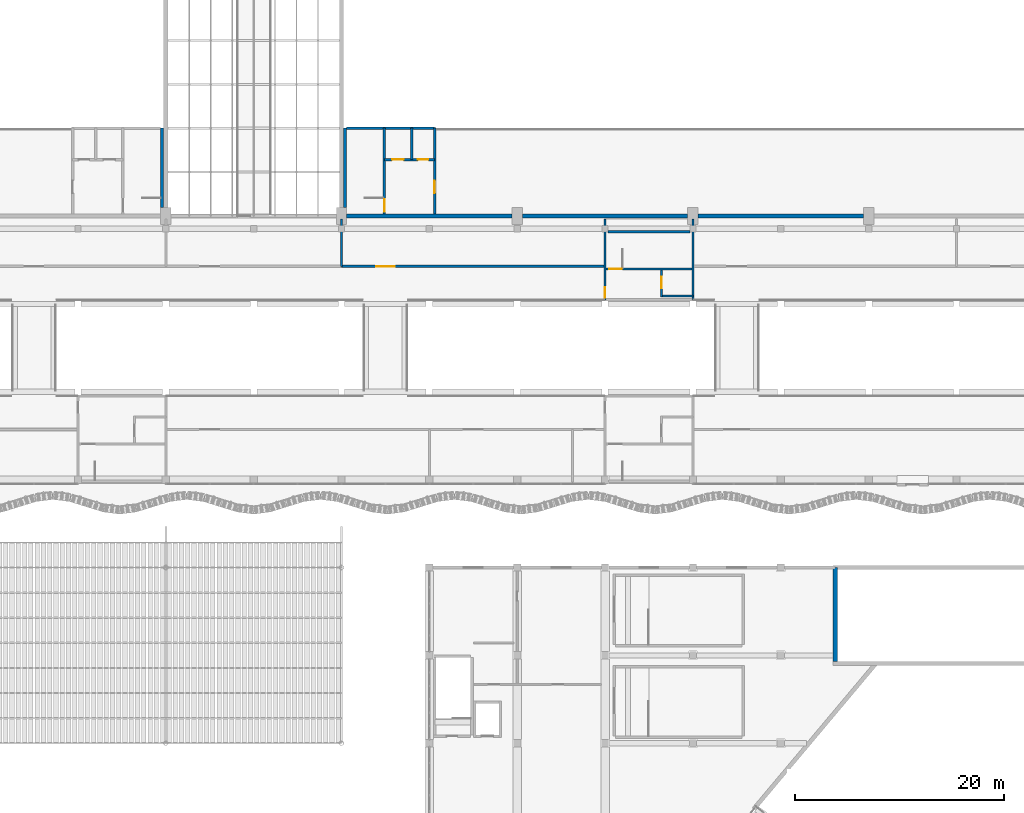
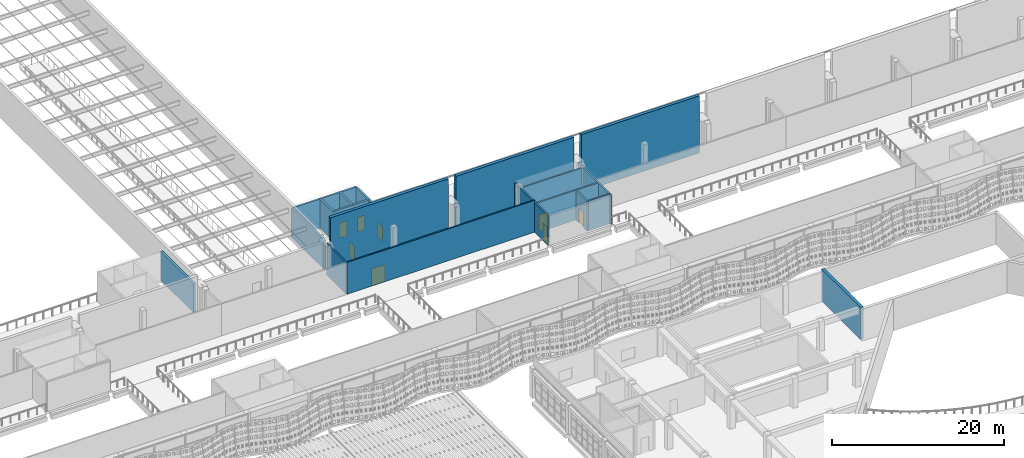
# One storey, part 88 of 162: 19 walls, 8 doors, 8 openings.
"""IFC4 building model written with IfcOpenShell, lengths in metres."""

from ifc_helpers import new_model, si_unit, direction, frame, frame_2d, origin, place, context, subcontext, project, spatial, rectangle, extrude, material, layer, layer_set, type_object, element, fill, save


model = new_model("IFC4")

# Units and contexts
model_context = context("Model", 3, precision=1e-05, world=origin(), true_north=direction((0.0, 1.0)))
body_context = subcontext(model_context, "Body", "Model", "MODEL_VIEW")
ifc_project = project(units=[si_unit("LENGTHUNIT", "METRE"), si_unit("AREAUNIT", "SQUARE_METRE"), si_unit("VOLUMEUNIT", "CUBIC_METRE"), si_unit("PLANEANGLEUNIT", "RADIAN"), si_unit("MASSUNIT", "GRAM", prefix="KILO")], contexts=[model_context])

# Site, building, storey
site_placement = place(None, origin())
site = spatial("IfcSite", under=ifc_project, at=site_placement, CompositionType="ELEMENT")
building_placement = place(site_placement, origin())
building = spatial("IfcBuilding", under=site, at=building_placement, Name="Rain Tree Exposition and Congress Centre", CompositionType="ELEMENT")
storey_placement = place(building_placement, frame((0.0, 0.0, 6.0)))
storey = spatial("IfcBuildingStorey", under=building, at=storey_placement, Name="L01", CompositionType="ELEMENT", Elevation=6.0)

# Walls
ifc_material_1 = material(Name="Concrete C40/50", Category="concrete")
ifc_layer_1 = layer(ifc_material_1, 0.39990234375)
ifc_layer_set_1 = layer_set([ifc_layer_1], Name="Concrete C40/50")
wall_type_1 = type_object("IfcWallType", Name="Acoustic wall 400", PredefinedType="SHEAR", material=ifc_layer_set_1)
wall_1_placement = place(storey_placement, frame((190.0, 67.199951171875, 0.0), z_axis=(0.0, 0.0, 1.0), x_axis=(0.0, -1.0, 0.0)))
element("IfcWall", 1, at=wall_1_placement, inside=storey, type_object=wall_type_1, Name="Stage house west wall", PredefinedType="SHEAR", context=body_context, shape_type="SweptSolid", body=[
    extrude(rectangle(XDim=8.989990234375, YDim=0.39990234375, at=frame_2d((4.4951171875, 0.0))), origin(), (0.0, 0.0, 1.0), 4.5),
])
ifc_material_2 = material(Name="Hollow blockwork partition", Category="masonry")
ifc_layer_2 = layer(ifc_material_2, 0.199951171875)
ifc_layer_set_2 = layer_set([ifc_layer_2], Name="Hollow blockwork partition")
wall_type_2 = type_object("IfcWallType", Name="Concourse blockwork partition 200", PredefinedType="PARTITIONING", material=ifc_layer_set_2)
wall_2_placement = place(storey_placement, frame((142.800048828125, 100.5, 0.0), z_axis=(0.0, 0.0, 1.0), x_axis=(0.0, -1.0, 0.0)))
element("IfcWall", 2, at=wall_2_placement, inside=storey, type_object=wall_type_2, Name="Concourse partition L01", PredefinedType="PARTITIONING", context=body_context, shape_type="SweptSolid", body=[
    extrude(rectangle(XDim=4.5, YDim=0.199951171875, at=frame_2d((2.25, 0.0))), origin(), (0.0, 0.0, 1.0), 4.5),
])

# Wall, opening, door
wall_3_placement = place(storey_placement, frame((142.800048828125, 96.0, 0.0), z_axis=(0.0, 0.0, 1.0), x_axis=(1.0, 0.0, 0.0)))
wall_3 = element("IfcWall", 3, at=wall_3_placement, inside=storey, type_object=wall_type_2, Name="Concourse room front L01", PredefinedType="PARTITIONING", context=body_context, shape_type="SweptSolid", body=[
    extrude(rectangle(XDim=25.199951171875, YDim=0.199951171875, at=frame_2d((12.60009765625, 0.0))), origin(), (0.0, 0.0, 1.0), 4.5),
])
opening_1_placement = place(wall_3_placement, frame((3.300048828125, 0.0, 0.0)))
opening_1 = element("IfcOpeningElement", 4, at=opening_1_placement, cuts=wall_3, Name="Opening DC088", PredefinedType="OPENING", context=body_context, shape_type="SweptSolid", body=[
    extrude(rectangle(XDim=1.800048828125, YDim=2.39990234375, at=frame_2d((0.89990234375, 1.199951171875))), frame((0.0, 0.10009765625, 0.0), z_axis=(0.0, -1.0, 0.0), x_axis=(1.0, 0.0, 0.0)), (0.0, 0.0, 1.0), 0.199951171875),
])
ifc_material_3 = material(Name="Aluminium framed glazed door", Category="aluminium")
door_type_1 = type_object("IfcDoorType", Name="Concourse double door 1800x2400", OperationType="DOUBLE_DOOR_DOUBLE_SWING", PredefinedType="DOOR", material=ifc_material_3)
door_1_placement = place(opening_1_placement, origin())
door_1 = element("IfcDoor", 5, at=door_1_placement, inside=storey, type_object=door_type_1, Name="Room door DC088", OperationType="DOUBLE_DOOR_DOUBLE_SWING", OverallHeight=2.39990234375, OverallWidth=1.800048828125, PredefinedType="DOOR", context=body_context, shape_type="SweptSolid", body=[
    extrude(rectangle(XDim=1.800048828125, YDim=2.39990234375, at=frame_2d((0.89990234375, 1.199951171875))), frame((0.0, 0.02490234375, 0.0), z_axis=(0.0, -1.0, 0.0), x_axis=(1.0, 0.0, 0.0)), (0.0, 0.0, 1.0), 0.050048828125),
])
fill(opening_1, door_1)

ifc_material_4 = material(Name="Concrete C40/50", Category="concrete")
ifc_layer_3 = layer(ifc_material_4, 0.199951171875)
ifc_layer_set_3 = layer_set([ifc_layer_3], Name="Concrete C40/50")
wall_type_3 = type_object("IfcWallType", Name="Concourse shaft and core wall 200", PredefinedType="SOLIDWALL", material=ifc_layer_set_3)
wall_4_placement = place(storey_placement, frame((168.0, 100.5, 0.0), z_axis=(0.0, 0.0, 1.0), x_axis=(0.0, -1.0, 0.0)))
wall_4 = element("IfcWall", 6, at=wall_4_placement, inside=storey, type_object=wall_type_3, Name="Concourse core wall L01", PredefinedType="SOLIDWALL", context=body_context, shape_type="SweptSolid", body=[
    extrude(rectangle(XDim=7.699951171875, YDim=0.199951171875, at=frame_2d((3.85009765625, 0.0))), origin(), (0.0, 0.0, 1.0), 4.199951171875),
])
opening_2_placement = place(wall_4_placement, frame((6.5, 0.0, 0.0)))
opening_2 = element("IfcOpeningElement", 7, at=opening_2_placement, cuts=wall_4, Name="Opening DC079", PredefinedType="OPENING", context=body_context, shape_type="SweptSolid", body=[
    extrude(rectangle(XDim=1.0, YDim=2.39990234375, at=frame_2d((0.5, 1.199951171875))), frame((0.0, 0.10009765625, 0.0), z_axis=(0.0, -1.0, 0.0), x_axis=(1.0, 0.0, 0.0)), (0.0, 0.0, 1.0), 0.199951171875),
])
ifc_material_5 = material(Name="Aluminium framed glazed door", Category="aluminium")
door_type_2 = type_object("IfcDoorType", Name="Concourse single door 1000x2400", OperationType="NOTDEFINED", PredefinedType="DOOR", material=ifc_material_5)
door_2_placement = place(opening_2_placement, origin())
door_2 = element("IfcDoor", 8, at=door_2_placement, inside=storey, type_object=door_type_2, Name="Stair lobby door DC079", OperationType="SINGLE_SWING_RIGHT", OverallHeight=2.39990234375, OverallWidth=1.0, PredefinedType="DOOR", context=body_context, shape_type="SweptSolid", body=[
    extrude(rectangle(XDim=1.0, YDim=2.39990234375, at=frame_2d((0.5, 1.199951171875))), frame((0.0, 0.02490234375, 0.0), z_axis=(0.0, -1.0, 0.0), x_axis=(1.0, 0.0, 0.0)), (0.0, 0.0, 1.0), 0.050048828125),
])
fill(opening_2, door_2)

# Walls
wall_5_placement = place(storey_placement, frame((176.39990234375, 100.5, 0.0), z_axis=(0.0, 0.0, 1.0), x_axis=(0.0, -1.0, 0.0)))
element("IfcWall", 9, at=wall_5_placement, inside=storey, type_object=wall_type_3, Name="Concourse core wall L01", PredefinedType="SOLIDWALL", context=body_context, shape_type="SweptSolid", body=[
    extrude(rectangle(XDim=7.699951171875, YDim=0.199951171875, at=frame_2d((3.85009765625, 0.0))), origin(), (0.0, 0.0, 1.0), 4.199951171875),
])
wall_6_placement = place(storey_placement, frame((168.300048828125, 99.300048828125, 0.0), z_axis=(0.0, 0.0, 1.0), x_axis=(1.0, 0.0, 0.0)))
element("IfcWall", 10, at=wall_6_placement, inside=storey, type_object=wall_type_3, Name="Concourse stair wall L01", PredefinedType="SOLIDWALL", context=body_context, shape_type="SweptSolid", body=[
    extrude(rectangle(XDim=7.800048828125, YDim=0.199951171875, at=frame_2d((3.89990234375, 0.0))), origin(), (0.0, 0.0, 1.0), 4.199951171875),
])

# Wall, opening, door
wall_7_placement = place(storey_placement, frame((168.0, 95.75, 0.0), z_axis=(0.0, 0.0, 1.0), x_axis=(1.0, 0.0, 0.0)))
wall_7 = element("IfcWall", 11, at=wall_7_placement, inside=storey, type_object=wall_type_3, Name="Concourse stair wall L01", PredefinedType="SOLIDWALL", context=body_context, shape_type="SweptSolid", body=[
    extrude(rectangle(XDim=8.39990234375, YDim=0.199951171875, at=frame_2d((4.199951171875, 0.0))), origin(), (0.0, 0.0, 1.0), 4.199951171875),
])
opening_3_placement = place(wall_7_placement, frame((0.39990234375, 0.0, 0.0)))
opening_3 = element("IfcOpeningElement", 12, at=opening_3_placement, cuts=wall_7, Name="Opening DC139", PredefinedType="OPENING", context=body_context, shape_type="SweptSolid", body=[
    extrude(rectangle(XDim=1.199951171875, YDim=2.39990234375, at=frame_2d((0.60009765625, 1.199951171875))), frame((0.0, 0.10009765625, 0.0), z_axis=(0.0, -1.0, 0.0), x_axis=(1.0, 0.0, 0.0)), (0.0, 0.0, 1.0), 0.199951171875),
])
ifc_material_6 = material(Name="Aluminium framed glazed door", Category="aluminium")
door_type_3 = type_object("IfcDoorType", Name="Concourse single door 1200x2400", OperationType="NOTDEFINED", PredefinedType="DOOR", material=ifc_material_6)
door_3_placement = place(opening_3_placement, origin())
door_3 = element("IfcDoor", 13, at=door_3_placement, inside=storey, type_object=door_type_3, Name="Stair door DC139", OperationType="SINGLE_SWING_LEFT", OverallHeight=2.39990234375, OverallWidth=1.199951171875, PredefinedType="DOOR", context=body_context, shape_type="SweptSolid", body=[
    extrude(rectangle(XDim=1.199951171875, YDim=2.39990234375, at=frame_2d((0.60009765625, 1.199951171875))), frame((0.0, 0.02490234375, 0.0), z_axis=(0.0, -1.0, 0.0), x_axis=(1.0, 0.0, 0.0)), (0.0, 0.0, 1.0), 0.050048828125),
])
fill(opening_3, door_3)

wall_8_placement = place(storey_placement, frame((173.39990234375, 93.050048828125, 0.0), z_axis=(0.0, 0.0, 1.0), x_axis=(0.0, 1.0, 0.0)))
wall_8 = element("IfcWall", 14, at=wall_8_placement, inside=storey, type_object=wall_type_3, Name="Concourse lift shaft wall L01", PredefinedType="SOLIDWALL", context=body_context, shape_type="SweptSolid", body=[
    extrude(rectangle(XDim=2.599853515625, YDim=0.199951171875, at=frame_2d((1.2998046875, 0.0))), origin(), (0.0, 0.0, 1.0), 4.199951171875),
])
opening_4_placement = place(wall_8_placement, frame((0.85009765625, 0.0, 0.0)))
opening_4 = element("IfcOpeningElement", 15, at=opening_4_placement, cuts=wall_8, Name="Opening DC141", PredefinedType="OPENING", context=body_context, shape_type="SweptSolid", body=[
    extrude(rectangle(XDim=1.10009765625, YDim=2.10009765625, at=frame_2d((0.550048828125, 1.050048828125))), frame((0.0, 0.10009765625, 0.0), z_axis=(0.0, -1.0, 0.0), x_axis=(1.0, 0.0, 0.0)), (0.0, 0.0, 1.0), 0.199951171875),
])
ifc_material_7 = material(Name="Stainless steel", Category="steel")
door_type_4 = type_object("IfcDoorType", Name="Lift landing door 1100x2100", OperationType="DOUBLE_DOOR_SLIDING", PredefinedType="DOOR", material=ifc_material_7)
door_4_placement = place(opening_4_placement, origin())
door_4 = element("IfcDoor", 16, at=door_4_placement, inside=storey, type_object=door_type_4, Name="Lift landing door DC141", OperationType="DOUBLE_DOOR_SLIDING", OverallHeight=2.10009765625, OverallWidth=1.10009765625, PredefinedType="DOOR", context=body_context, shape_type="SweptSolid", body=[
    extrude(rectangle(XDim=1.10009765625, YDim=2.10009765625, at=frame_2d((0.550048828125, 1.050048828125))), frame((0.0, 0.02490234375, 0.0), z_axis=(0.0, -1.0, 0.0), x_axis=(1.0, 0.0, 0.0)), (0.0, 0.0, 1.0), 0.050048828125),
])
fill(opening_4, door_4)

# Walls
wall_9_placement = place(storey_placement, frame((173.300048828125, 93.14990234375, 0.0), z_axis=(0.0, 0.0, 1.0), x_axis=(1.0, 0.0, 0.0)))
element("IfcWall", 17, at=wall_9_placement, inside=storey, type_object=wall_type_3, Name="Concourse lift shaft wall L01", PredefinedType="SOLIDWALL", context=body_context, shape_type="SweptSolid", body=[
    extrude(rectangle(XDim=3.099853515625, YDim=0.199951171875, at=frame_2d((1.5498046875, 0.0))), origin(), (0.0, 0.0, 1.0), 4.199951171875),
])
ifc_material_8 = material(Name="Concrete C40/50", Category="concrete")
ifc_layer_4 = layer(ifc_material_8, 0.300048828125)
ifc_layer_set_4 = layer_set([ifc_layer_4], Name="Concrete C40/50")
wall_type_4 = type_object("IfcWallType", Name="Core gable pier wall 300", PredefinedType="SHEAR", material=ifc_layer_set_4)
for number, where, z_axis, x_axis, name in (
    (18, (125.64990234375, 101.60009765625, 0.0), (0.0, 0.0, 1.0), (0.0, 1.0, 0.0), "Gable pier wall 2"),
    (19, (143.14990234375, 101.60009765625, 0.0), (0.0, 0.0, 1.0), (0.0, 1.0, 0.0), "Gable pier wall 5"),
):
    element("IfcWall", number, at=place(storey_placement, frame(where, z_axis=z_axis, x_axis=x_axis)), inside=storey, type_object=wall_type_4, Name=name, PredefinedType="SHEAR", context=body_context, shape_type="SweptSolid", body=[
        extrude(rectangle(XDim=7.599853515625, YDim=0.300048828125, at=frame_2d((3.7998046875, 0.0))), origin(), (0.0, 0.0, 1.0), 4.10009765625),
    ])

# Wall, opening, door
ifc_material_9 = material(Name="Concrete C40/50", Category="concrete")
ifc_layer_5 = layer(ifc_material_9, 0.25)
ifc_layer_set_5 = layer_set([ifc_layer_5], Name="Concrete C40/50")
wall_type_5 = type_object("IfcWallType", Name="Core wall 250", PredefinedType="SHEAR", material=ifc_layer_set_5)
wall_10_placement = place(storey_placement, frame((146.89990234375, 101.0, 0.0), z_axis=(0.0, 0.0, 1.0), x_axis=(0.0, 1.0, 0.0)))
wall_10 = element("IfcWall", 20, at=wall_10_placement, inside=storey, type_object=wall_type_5, Name="Stair wall 5", PredefinedType="SHEAR", context=body_context, shape_type="SweptSolid", body=[
    extrude(rectangle(XDim=8.199951171875, YDim=0.25, at=frame_2d((4.10009765625, 0.0))), origin(), (0.0, 0.0, 1.0), 4.10009765625),
])
opening_5_placement = place(wall_10_placement, frame((0.199951171875, 0.0, 0.0)))
opening_5 = element("IfcOpeningElement", 21, at=opening_5_placement, cuts=wall_10, Name="Opening DH217", PredefinedType="OPENING", context=body_context, shape_type="SweptSolid", body=[
    extrude(rectangle(XDim=1.199951171875, YDim=2.10009765625, at=frame_2d((0.60009765625, 1.050048828125))), frame((0.0, 0.125, 0.0), z_axis=(0.0, -1.0, 0.0), x_axis=(1.0, 0.0, 0.0)), (0.0, 0.0, 1.0), 0.25),
])
ifc_material_10 = material(Name="Painted steel fire door", Category="steel")
door_type_5 = type_object("IfcDoorType", Name="Stair fire door 1200x2100", OperationType="NOTDEFINED", PredefinedType="DOOR", material=ifc_material_10)
door_5_placement = place(opening_5_placement, origin())
door_5 = element("IfcDoor", 22, at=door_5_placement, inside=storey, type_object=door_type_5, Name="Door DH217", OperationType="SINGLE_SWING_LEFT", OverallHeight=2.10009765625, OverallWidth=1.199951171875, PredefinedType="DOOR", context=body_context, shape_type="SweptSolid", body=[
    extrude(rectangle(XDim=1.199951171875, YDim=2.10009765625, at=frame_2d((0.60009765625, 1.050048828125))), frame((0.0, 0.02490234375, 0.0), z_axis=(0.0, -1.0, 0.0), x_axis=(1.0, 0.0, 0.0)), (0.0, 0.0, 1.0), 0.050048828125),
])
fill(opening_5, door_5)

# Wall
wall_11_placement = place(storey_placement, frame((143.300048828125, 109.199951171875, 0.0), z_axis=(0.0, 0.0, 1.0), x_axis=(1.0, 0.0, 0.0)))
element("IfcWall", 23, at=wall_11_placement, inside=storey, type_object=wall_type_5, Name="Core north wall 5", PredefinedType="SHEAR", context=body_context, shape_type="SweptSolid", body=[
    extrude(rectangle(XDim=8.39990234375, YDim=0.25, at=frame_2d((4.199951171875, 0.0))), origin(), (0.0, 0.0, 1.0), 4.10009765625),
])

# Wall, opening, door
wall_12_placement = place(storey_placement, frame((151.699951171875, 101.0, 0.0), z_axis=(0.0, 0.0, 1.0), x_axis=(0.0, 1.0, 0.0)))
wall_12 = element("IfcWall", 24, at=wall_12_placement, inside=storey, type_object=wall_type_5, Name="Core east wall 5", PredefinedType="SHEAR", context=body_context, shape_type="SweptSolid", body=[
    extrude(rectangle(XDim=8.199951171875, YDim=0.25, at=frame_2d((4.10009765625, 0.0))), origin(), (0.0, 0.0, 1.0), 4.10009765625),
])
opening_6_placement = place(wall_12_placement, frame((2.0, 0.0, 0.0)))
opening_6 = element("IfcOpeningElement", 25, at=opening_6_placement, cuts=wall_12, Name="Opening DH218", PredefinedType="OPENING", context=body_context, shape_type="SweptSolid", body=[
    extrude(rectangle(XDim=1.199951171875, YDim=2.10009765625, at=frame_2d((0.60009765625, 1.050048828125))), frame((0.0, 0.125, 0.0), z_axis=(0.0, -1.0, 0.0), x_axis=(1.0, 0.0, 0.0)), (0.0, 0.0, 1.0), 0.25),
])
ifc_material_11 = material(Name="Painted steel fire door", Category="steel")
door_type_6 = type_object("IfcDoorType", Name="Lobby fire door 1200x2100", OperationType="NOTDEFINED", PredefinedType="DOOR", material=ifc_material_11)
door_6_placement = place(opening_6_placement, origin())
door_6 = element("IfcDoor", 26, at=door_6_placement, inside=storey, type_object=door_type_6, Name="Door DH218", OperationType="SINGLE_SWING_LEFT", OverallHeight=2.10009765625, OverallWidth=1.199951171875, PredefinedType="DOOR", context=body_context, shape_type="SweptSolid", body=[
    extrude(rectangle(XDim=1.199951171875, YDim=2.10009765625, at=frame_2d((0.60009765625, 1.050048828125))), frame((0.0, 0.02490234375, 0.0), z_axis=(0.0, -1.0, 0.0), x_axis=(1.0, 0.0, 0.0)), (0.0, 0.0, 1.0), 0.050048828125),
])
fill(opening_6, door_6)

# Wall, openings, doors
wall_13_placement = place(storey_placement, frame((146.89990234375, 106.199951171875, 0.0), z_axis=(0.0, 0.0, 1.0), x_axis=(1.0, 0.0, 0.0)))
wall_13 = element("IfcWall", 27, at=wall_13_placement, inside=storey, type_object=wall_type_5, Name="Lift lobby wall 5", PredefinedType="SHEAR", context=body_context, shape_type="SweptSolid", body=[
    extrude(rectangle(XDim=4.800048828125, YDim=0.25, at=frame_2d((2.39990234375, 0.0))), origin(), (0.0, 0.0, 1.0), 4.10009765625),
])
opening_7_placement = place(wall_13_placement, frame((0.75, 0.0, 0.0)))
opening_7 = element("IfcOpeningElement", 28, at=opening_7_placement, cuts=wall_13, Name="Opening DH219", PredefinedType="OPENING", context=body_context, shape_type="SweptSolid", body=[
    extrude(rectangle(XDim=1.10009765625, YDim=2.10009765625, at=frame_2d((0.550048828125, 1.050048828125))), frame((0.0, 0.125, 0.0), z_axis=(0.0, -1.0, 0.0), x_axis=(1.0, 0.0, 0.0)), (0.0, 0.0, 1.0), 0.25),
])
opening_8_placement = place(wall_13_placement, frame((3.199951171875, 0.0, 0.0)))
opening_8 = element("IfcOpeningElement", 29, at=opening_8_placement, cuts=wall_13, Name="Opening DH220", PredefinedType="OPENING", context=body_context, shape_type="SweptSolid", body=[
    extrude(rectangle(XDim=1.0, YDim=2.10009765625, at=frame_2d((0.5, 1.050048828125))), frame((0.0, 0.125, 0.0), z_axis=(0.0, -1.0, 0.0), x_axis=(1.0, 0.0, 0.0)), (0.0, 0.0, 1.0), 0.25),
])
door_7_placement = place(opening_7_placement, origin())
door_7 = element("IfcDoor", 30, at=door_7_placement, inside=storey, type_object=door_type_4, Name="Door DH219", OperationType="DOUBLE_DOOR_SLIDING", OverallHeight=2.10009765625, OverallWidth=1.10009765625, PredefinedType="DOOR", context=body_context, shape_type="SweptSolid", body=[
    extrude(rectangle(XDim=1.10009765625, YDim=2.10009765625, at=frame_2d((0.550048828125, 1.050048828125))), frame((0.0, 0.02490234375, 0.0), z_axis=(0.0, -1.0, 0.0), x_axis=(1.0, 0.0, 0.0)), (0.0, 0.0, 1.0), 0.050048828125),
])
fill(opening_7, door_7)
ifc_material_12 = material(Name="Painted steel door", Category="steel")
door_type_7 = type_object("IfcDoorType", Name="Single leaf door 1000x2100", OperationType="NOTDEFINED", PredefinedType="DOOR", material=ifc_material_12)
door_8_placement = place(opening_8_placement, origin())
door_8 = element("IfcDoor", 31, at=door_8_placement, inside=storey, type_object=door_type_7, Name="Door DH220", OperationType="SINGLE_SWING_RIGHT", OverallHeight=2.10009765625, OverallWidth=1.0, PredefinedType="DOOR", context=body_context, shape_type="SweptSolid", body=[
    extrude(rectangle(XDim=1.0, YDim=2.10009765625, at=frame_2d((0.5, 1.050048828125))), frame((0.0, 0.02490234375, 0.0), z_axis=(0.0, -1.0, 0.0), x_axis=(1.0, 0.0, 0.0)), (0.0, 0.0, 1.0), 0.050048828125),
])
fill(opening_8, door_8)

# Walls
wall_14_placement = place(storey_placement, frame((149.5, 106.199951171875, 0.0), z_axis=(0.0, 0.0, 1.0), x_axis=(0.0, 1.0, 0.0)))
element("IfcWall", 32, at=wall_14_placement, inside=storey, type_object=wall_type_5, Name="Lift shaft wall 5", PredefinedType="SHEAR", context=body_context, shape_type="SweptSolid", body=[
    extrude(rectangle(XDim=3.0, YDim=0.25, at=frame_2d((1.5, 0.0))), origin(), (0.0, 0.0, 1.0), 4.10009765625),
])
ifc_material_13 = material(Name="Precast concrete C50/60", Category="concrete")
ifc_layer_6 = layer(ifc_material_13, 0.39990234375)
ifc_layer_set_6 = layer_set([ifc_layer_6], Name="Precast concrete C50/60")
wall_type_6 = type_object("IfcWallType", Name="Hall precast wall 400", PredefinedType="STANDARD", material=ifc_layer_set_6)
wall_15_placement = place(storey_placement, frame((143.300048828125, 100.800048828125, -0.300048828125), z_axis=(0.0, 0.0, 1.0), x_axis=(1.0, 0.0, 0.0)))
element("IfcWall", 33, at=wall_15_placement, inside=storey, type_object=wall_type_6, Name="Cladding wall S1", PredefinedType="STANDARD", context=body_context, shape_type="SweptSolid", body=[
    extrude(rectangle(XDim=15.800048828125, YDim=0.39990234375, at=frame_2d((7.89990234375, 0.0))), origin(), (0.0, 0.0, 1.0), 8.10009765625),
])
wall_16_placement = place(storey_placement, frame((160.10009765625, 100.800048828125, -0.300048828125), z_axis=(0.0, 0.0, 1.0), x_axis=(1.0, 0.0, 0.0)))
element("IfcWall", 34, at=wall_16_placement, inside=storey, type_object=wall_type_6, Name="Cladding wall S2", PredefinedType="STANDARD", context=body_context, shape_type="SweptSolid", body=[
    extrude(rectangle(XDim=15.7998046875, YDim=0.39990234375, at=frame_2d((7.89990234375, 0.0))), origin(), (0.0, 0.0, 1.0), 8.10009765625),
])
wall_17_placement = place(storey_placement, frame((176.89990234375, 100.800048828125, -0.300048828125), z_axis=(0.0, 0.0, 1.0), x_axis=(1.0, 0.0, 0.0)))
element("IfcWall", 35, at=wall_17_placement, inside=storey, type_object=wall_type_6, Name="Cladding wall S3", PredefinedType="STANDARD", context=body_context, shape_type="SweptSolid", body=[
    extrude(rectangle(XDim=15.800048828125, YDim=0.39990234375, at=frame_2d((7.89990234375, 0.0))), origin(), (0.0, 0.0, 1.0), 8.10009765625),
])

save(model, "model.ifc")
